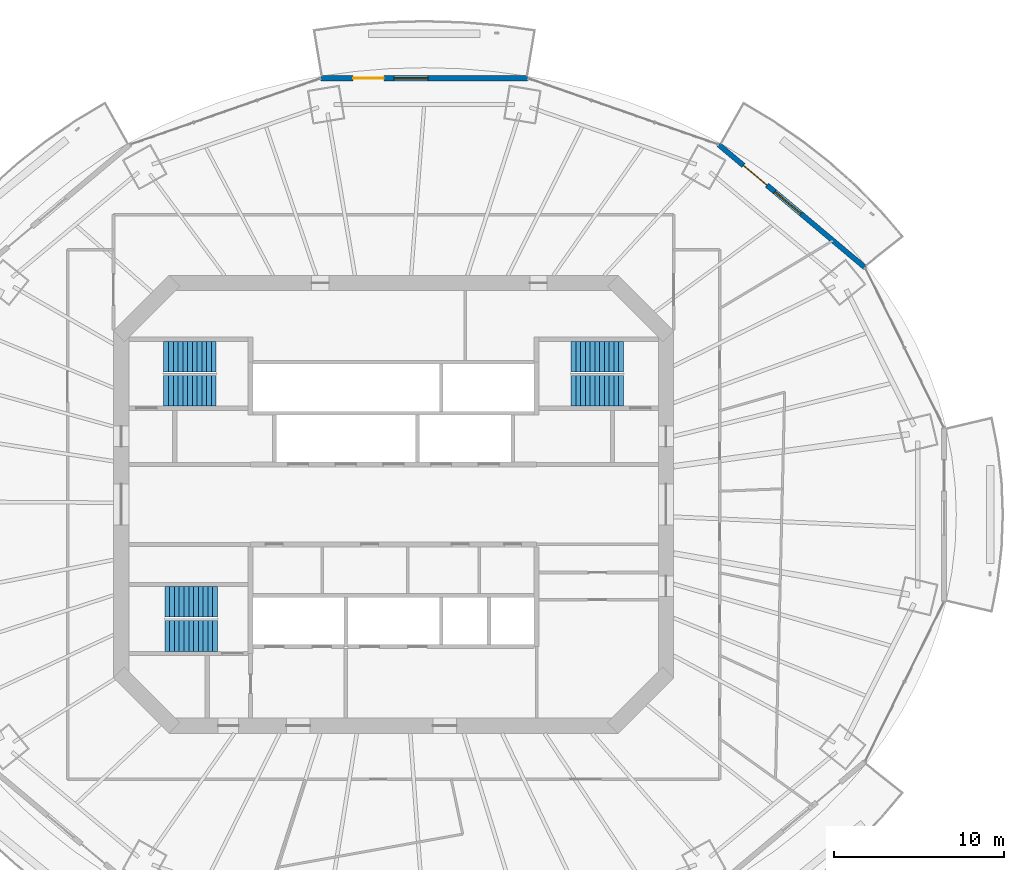
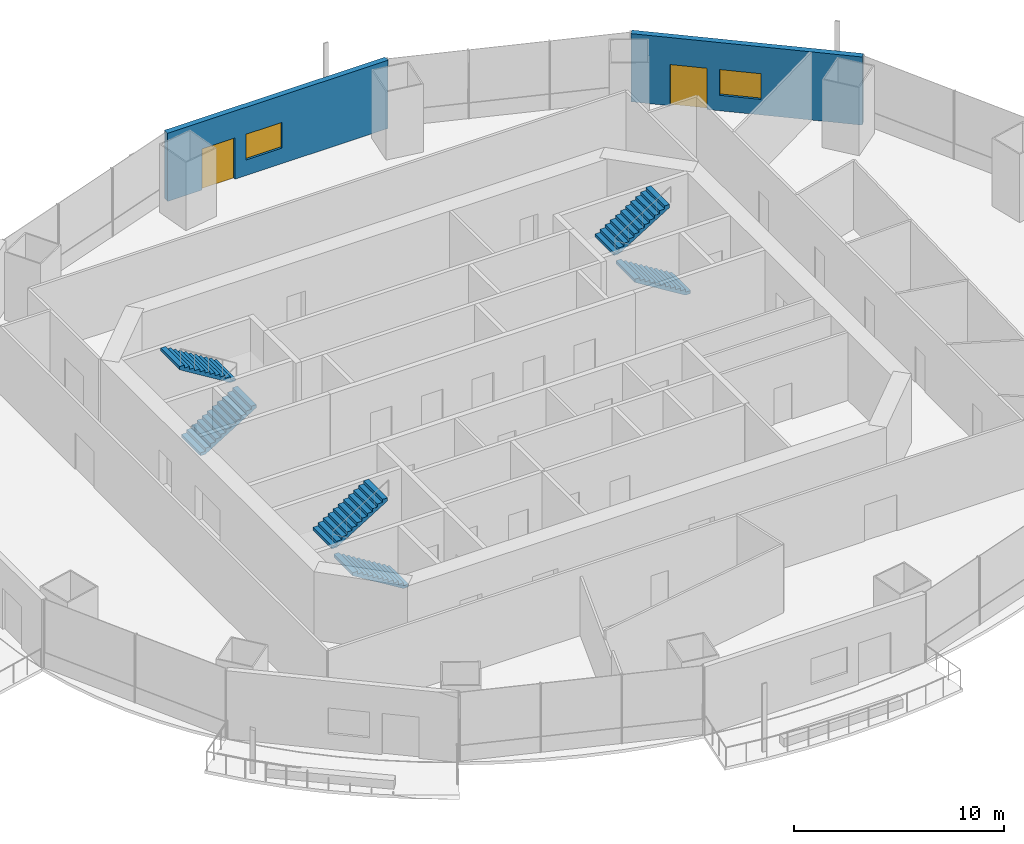
# One storey, part 14 of 20: 6 stair flights, 2 doors, 2 walls, 2 windows, 4 openings, 3 elements without a shape of their own.
"""IFC4 building model written with IfcOpenShell, lengths in metres."""

from ifc_helpers import new_model, si_unit, direction, frame, frame_2d, origin, place, context, subcontext, project, spatial, polyline, rectangle, outline, extrude, material, layer, layer_set, type_object, element, fill, aggregate, save


model = new_model("IFC4")

# Units and contexts
model_context = context("Model", 3, precision=1e-05, world=origin(), true_north=direction((0.0, 1.0)))
body_context = subcontext(model_context, "Body", "Model", "MODEL_VIEW")
ifc_project = project(units=[si_unit("LENGTHUNIT", "METRE"), si_unit("AREAUNIT", "SQUARE_METRE"), si_unit("VOLUMEUNIT", "CUBIC_METRE"), si_unit("PLANEANGLEUNIT", "RADIAN"), si_unit("MASSUNIT", "GRAM", prefix="KILO")], contexts=[model_context])

# Site, building, storey
site_placement = place(None, origin())
site = spatial("IfcSite", under=ifc_project, at=site_placement, CompositionType="ELEMENT")
building_placement = place(site_placement, origin())
building = spatial("IfcBuilding", under=site, at=building_placement, Name="Marenthal Gate Tower", CompositionType="ELEMENT")
storey_placement = place(building_placement, frame((0.0, 0.0, 219.14990234375)))
storey = spatial("IfcBuildingStorey", under=building, at=storey_placement, Name="L48", CompositionType="ELEMENT", Elevation=219.14990234375)

# Wall, openings, door, window
ifc_material_1 = material(Name="Terracotta cladding on insulated concrete-block backing", Category="masonry")
ifc_layer = layer(ifc_material_1, 0.300048828125)
ifc_layer_set = layer_set([ifc_layer], Name="Terracotta facade wall 300")
wall_type = type_object("IfcWallType", Name="Terracotta facade wall 300", PredefinedType="SOLIDWALL", material=ifc_layer_set)
wall_1_placement = place(storey_placement, frame((27.68359375, 13.9169921875, 0.0), z_axis=(0.0, 0.0, 1.0), x_axis=(-0.76593385613, 0.642919379109, 0.0)))
wall_1 = element("IfcWall", 1, at=wall_1_placement, inside=storey, type_object=wall_type, Name="Terracotta facade wall L48 bay 2", PredefinedType="SOLIDWALL", context=body_context, shape_type="SweptSolid", body=[
    extrude(rectangle(XDim=11.21337890625, YDim=0.300048828125, at=frame_2d((5.606689453125, 0.0))), origin(), (0.0, 0.0, 1.0), 3.97021484375),
])
opening_1_placement = place(wall_1_placement, frame((7.51318359375, 0.0, 0.0)))
opening_1 = element("IfcOpeningElement", 2, at=opening_1_placement, cuts=wall_1, Name="Opening BD-L48-02", PredefinedType="OPENING", context=body_context, shape_type="SweptSolid", body=[
    extrude(rectangle(XDim=1.800048828125, YDim=2.39990234375, at=frame_2d((0.89990234375, 1.199951171875))), frame((0.0, 0.16015625, 0.0), z_axis=(0.0, -1.0, 0.0), x_axis=(1.0, 0.0, 0.0)), (0.0, 0.0, 1.0), 0.320068359375),
])
opening_2_placement = place(wall_1_placement, frame((4.913330078125, 0.0, 0.89990234375)))
opening_2 = element("IfcOpeningElement", 3, at=opening_2_placement, cuts=wall_1, Name="Opening WN2-L48-02", PredefinedType="OPENING", context=body_context, shape_type="SweptSolid", body=[
    extrude(rectangle(XDim=2.0, YDim=1.5, at=frame_2d((1.0, 0.75))), frame((0.0, 0.16015625, 0.0), z_axis=(0.0, -1.0, 0.0), x_axis=(1.0, 0.0, 0.0)), (0.0, 0.0, 1.0), 0.320068359375),
])
ifc_material_2 = material(Name="Aluminium and glass", Category="aluminium")
door_type = type_object("IfcDoorType", Name="Balcony door 1800x2400", OperationType="DOUBLE_DOOR_SINGLE_SWING", PredefinedType="DOOR", material=ifc_material_2)
door_1_placement = place(opening_1_placement, origin())
door_1 = element("IfcDoor", 4, at=door_1_placement, inside=storey, type_object=door_type, Name="Balcony door L48 bay 2", OperationType="SINGLE_SWING_LEFT", OverallHeight=2.39990234375, OverallWidth=1.800048828125, PredefinedType="DOOR", context=body_context, shape_type="SweptSolid", body=[
    extrude(rectangle(XDim=1.800048828125, YDim=2.39990234375, at=frame_2d((0.89990234375, 1.199951171875))), frame((0.0, 0.02490234375, 0.0), z_axis=(0.0, -1.0, 0.0), x_axis=(1.0, 0.0, 0.0)), (0.0, 0.0, 1.0), 0.050048828125),
])
fill(opening_1, door_1)
ifc_material_3 = material(Name="Aluminium and glass", Category="aluminium")
window_type = type_object("IfcWindowType", Name="Window 2000x1500", PartitioningType="DOUBLE_PANEL_VERTICAL", PredefinedType="WINDOW", material=ifc_material_3)
window_1_placement = place(opening_2_placement, origin())
window_1 = element("IfcWindow", 5, at=window_1_placement, inside=storey, type_object=window_type, Name="Window L48 bay 2", OverallHeight=1.5, OverallWidth=2.0, PartitioningType="SINGLE_PANEL", PredefinedType="WINDOW", context=body_context, shape_type="SweptSolid", body=[
    extrude(rectangle(XDim=2.0, YDim=1.5, at=frame_2d((1.0, 0.75))), frame((0.0, 0.030029296875, 0.0), z_axis=(0.0, -1.0, 0.0), x_axis=(1.0, 0.0, 0.0)), (0.0, 0.0, 1.0), 0.06005859375),
])
fill(opening_2, window_1)

wall_2_placement = place(storey_placement, frame((7.873291015625, 25.02783203125, 0.0), z_axis=(0.0, 0.0, 1.0), x_axis=(-1.0, 0.0, 0.0)))
wall_2 = element("IfcWall", 6, at=wall_2_placement, inside=storey, type_object=wall_type, Name="Terracotta facade wall L48 bay 4", PredefinedType="SOLIDWALL", context=body_context, shape_type="SweptSolid", body=[
    extrude(rectangle(XDim=12.146484375, YDim=0.300048828125, at=frame_2d((6.0732421875, 0.0))), origin(), (0.0, 0.0, 1.0), 3.97021484375),
])
opening_3_placement = place(wall_2_placement, frame((8.4462890625, 0.0, 0.0)))
opening_3 = element("IfcOpeningElement", 7, at=opening_3_placement, cuts=wall_2, Name="Opening BD-L48-04", PredefinedType="OPENING", context=body_context, shape_type="SweptSolid", body=[
    extrude(rectangle(XDim=1.800048828125, YDim=2.39990234375, at=frame_2d((0.89990234375, 1.199951171875))), frame((0.0, 0.16015625, 0.0), z_axis=(0.0, -1.0, 0.0), x_axis=(1.0, 0.0, 0.0)), (0.0, 0.0, 1.0), 0.320068359375),
])
opening_4_placement = place(wall_2_placement, frame((5.846435546875, 0.0, 0.89990234375)))
opening_4 = element("IfcOpeningElement", 8, at=opening_4_placement, cuts=wall_2, Name="Opening WN2-L48-04", PredefinedType="OPENING", context=body_context, shape_type="SweptSolid", body=[
    extrude(rectangle(XDim=2.0, YDim=1.5, at=frame_2d((1.0, 0.75))), frame((0.0, 0.16015625, 0.0), z_axis=(0.0, -1.0, 0.0), x_axis=(1.0, 0.0, 0.0)), (0.0, 0.0, 1.0), 0.320068359375),
])
door_2_placement = place(opening_3_placement, origin())
door_2 = element("IfcDoor", 9, at=door_2_placement, inside=storey, type_object=door_type, Name="Balcony door L48 bay 4", OperationType="SINGLE_SWING_LEFT", OverallHeight=2.39990234375, OverallWidth=1.800048828125, PredefinedType="DOOR", context=body_context, shape_type="SweptSolid", body=[
    extrude(rectangle(XDim=1.800048828125, YDim=2.39990234375, at=frame_2d((0.89990234375, 1.199951171875))), frame((0.0, 0.02490234375, 0.0), z_axis=(0.0, -1.0, 0.0), x_axis=(1.0, 0.0, 0.0)), (0.0, 0.0, 1.0), 0.050048828125),
])
fill(opening_3, door_2)
window_2_placement = place(opening_4_placement, origin())
window_2 = element("IfcWindow", 10, at=window_2_placement, inside=storey, type_object=window_type, Name="Window L48 bay 4", OverallHeight=1.5, OverallWidth=2.0, PartitioningType="SINGLE_PANEL", PredefinedType="WINDOW", context=body_context, shape_type="SweptSolid", body=[
    extrude(rectangle(XDim=2.0, YDim=1.5, at=frame_2d((1.0, 0.75))), frame((0.0, 0.030029296875, 0.0), z_axis=(0.0, -1.0, 0.0), x_axis=(1.0, 0.0, 0.0)), (0.0, 0.0, 1.0), 0.06005859375),
])
fill(opening_4, window_2)

# Stair, stair flights
ifc_material_4 = material(Name="Concrete 40 MPa", Category="concrete")
stair_type = type_object("IfcStairType", Name="Exit stair 1800", PredefinedType="HALF_TURN_STAIR", material=ifc_material_4)
stair_1_placement = place(storey_placement, origin())
stair_1 = element("IfcStair", 11, at=stair_1_placement, inside=storey, type_object=stair_type, Name="Stair ST1", PredefinedType="HALF_TURN_STAIR")
ifc_material_5 = material(Name="Concrete 40 MPa", Category="concrete")
stair_flight_type = type_object("IfcStairFlightType", Name="Stair flight 1800", PredefinedType="STRAIGHT", material=ifc_material_5)
stair_flight_1_placement = place(storey_placement, frame((-13.5, 6.675048828125, 0.0), z_axis=(0.0, 0.0, 1.0), x_axis=(1.0, 0.0, 0.0)))
stair_flight_1 = element("IfcStairFlight", 12, at=stair_flight_1_placement, type_object=stair_flight_type, Name="ST1 flight 1", NumberOfRisers=12, NumberOfTreads=11, PredefinedType="STRAIGHT", RiserHeight=0.172916667, TreadLength=0.28, context=body_context, shape_type="SweptSolid", body=[
    extrude(outline(polyline([(0.0, 0.0), (0.0, 0.1728515625), (0.280029296875, 0.1728515625), (0.280029296875, 0.345947265625), (0.56005859375, 0.345947265625), (0.56005859375, 0.518798828125), (0.840087890625, 0.518798828125), (0.840087890625, 0.691650390625), (1.1201171875, 0.691650390625), (1.1201171875, 0.864501953125), (1.39990234375, 0.864501953125), (1.39990234375, 1.03759765625), (1.679931640625, 1.03759765625), (1.679931640625, 1.21044921875), (1.9599609375, 1.21044921875), (1.9599609375, 1.38330078125), (2.239990234375, 1.38330078125), (2.239990234375, 1.55615234375), (2.52001953125, 1.55615234375), (2.52001953125, 1.729248046875), (2.800048828125, 1.729248046875), (2.800048828125, 1.902099609375), (3.080078125, 1.902099609375), (3.080078125, 2.074951171875), (3.080078125, 1.725830078125), (0.285400390625, 0.0), (0.0, 0.0)])), frame((0.0, 0.89990234375, 0.0), z_axis=(0.0, -1.0, 0.0), x_axis=(1.0, 0.0, 0.0)), (0.0, 0.0, 1.0), 1.800048828125),
])
stair_flight_2_placement = place(storey_placement, frame((-10.419921875, 8.675048828125, 2.0751953125), z_axis=(0.0, 0.0, 1.0), x_axis=(-1.0, 0.0, 0.0)))
stair_flight_2 = element("IfcStairFlight", 13, at=stair_flight_2_placement, type_object=stair_flight_type, Name="ST1 flight 2", NumberOfRisers=12, NumberOfTreads=11, PredefinedType="STRAIGHT", RiserHeight=0.172916667, TreadLength=0.28, context=body_context, shape_type="SweptSolid", body=[
    extrude(outline(polyline([(0.0, 0.0), (0.0, 0.1728515625), (0.280029296875, 0.1728515625), (0.280029296875, 0.345947265625), (0.56005859375, 0.345947265625), (0.56005859375, 0.518798828125), (0.840087890625, 0.518798828125), (0.840087890625, 0.691650390625), (1.1201171875, 0.691650390625), (1.1201171875, 0.864501953125), (1.39990234375, 0.864501953125), (1.39990234375, 1.03759765625), (1.679931640625, 1.03759765625), (1.679931640625, 1.21044921875), (1.9599609375, 1.21044921875), (1.9599609375, 1.38330078125), (2.239990234375, 1.38330078125), (2.239990234375, 1.55615234375), (2.52001953125, 1.55615234375), (2.52001953125, 1.729248046875), (2.800048828125, 1.729248046875), (2.800048828125, 1.902099609375), (3.080078125, 1.902099609375), (3.080078125, 2.074951171875), (3.080078125, 1.725830078125), (0.285400390625, 0.0), (0.0, 0.0)])), frame((0.0, 0.89990234375, 0.0), z_axis=(0.0, -1.0, 0.0), x_axis=(1.0, 0.0, 0.0)), (0.0, 0.0, 1.0), 1.800048828125),
])
aggregate(stair_1, [stair_flight_1, stair_flight_2])

stair_2_placement = place(storey_placement, origin())
stair_2 = element("IfcStair", 14, at=stair_2_placement, inside=storey, type_object=stair_type, Name="Stair ST2", PredefinedType="HALF_TURN_STAIR")
stair_flight_3_placement = place(storey_placement, frame((-10.35009765625, -7.72509765625, 0.0), z_axis=(0.0, 0.0, 1.0), x_axis=(-1.0, 0.0, 0.0)))
stair_flight_3 = element("IfcStairFlight", 15, at=stair_flight_3_placement, type_object=stair_flight_type, Name="ST2 flight 1", NumberOfRisers=12, NumberOfTreads=11, PredefinedType="STRAIGHT", RiserHeight=0.172916667, TreadLength=0.28, context=body_context, shape_type="SweptSolid", body=[
    extrude(outline(polyline([(0.0, 0.0), (0.0, 0.1728515625), (0.280029296875, 0.1728515625), (0.280029296875, 0.345947265625), (0.56005859375, 0.345947265625), (0.56005859375, 0.518798828125), (0.840087890625, 0.518798828125), (0.840087890625, 0.691650390625), (1.1201171875, 0.691650390625), (1.1201171875, 0.864501953125), (1.39990234375, 0.864501953125), (1.39990234375, 1.03759765625), (1.679931640625, 1.03759765625), (1.679931640625, 1.21044921875), (1.9599609375, 1.21044921875), (1.9599609375, 1.38330078125), (2.239990234375, 1.38330078125), (2.239990234375, 1.55615234375), (2.52001953125, 1.55615234375), (2.52001953125, 1.729248046875), (2.800048828125, 1.729248046875), (2.800048828125, 1.902099609375), (3.080078125, 1.902099609375), (3.080078125, 2.074951171875), (3.080078125, 1.725830078125), (0.285400390625, 0.0), (0.0, 0.0)])), frame((0.0, 0.89990234375, 0.0), z_axis=(0.0, -1.0, 0.0), x_axis=(1.0, 0.0, 0.0)), (0.0, 0.0, 1.0), 1.800048828125),
])
stair_flight_4_placement = place(storey_placement, frame((-13.429931640625, -5.72509765625, 2.0751953125), z_axis=(0.0, 0.0, 1.0), x_axis=(1.0, 0.0, 0.0)))
stair_flight_4 = element("IfcStairFlight", 16, at=stair_flight_4_placement, type_object=stair_flight_type, Name="ST2 flight 2", NumberOfRisers=12, NumberOfTreads=11, PredefinedType="STRAIGHT", RiserHeight=0.172916667, TreadLength=0.28, context=body_context, shape_type="SweptSolid", body=[
    extrude(outline(polyline([(0.0, 0.0), (0.0, 0.1728515625), (0.280029296875, 0.1728515625), (0.280029296875, 0.345947265625), (0.56005859375, 0.345947265625), (0.56005859375, 0.518798828125), (0.840087890625, 0.518798828125), (0.840087890625, 0.691650390625), (1.1201171875, 0.691650390625), (1.1201171875, 0.864501953125), (1.39990234375, 0.864501953125), (1.39990234375, 1.03759765625), (1.679931640625, 1.03759765625), (1.679931640625, 1.21044921875), (1.9599609375, 1.21044921875), (1.9599609375, 1.38330078125), (2.239990234375, 1.38330078125), (2.239990234375, 1.55615234375), (2.52001953125, 1.55615234375), (2.52001953125, 1.729248046875), (2.800048828125, 1.729248046875), (2.800048828125, 1.902099609375), (3.080078125, 1.902099609375), (3.080078125, 2.074951171875), (3.080078125, 1.725830078125), (0.285400390625, 0.0), (0.0, 0.0)])), frame((0.0, 0.89990234375, 0.0), z_axis=(0.0, -1.0, 0.0), x_axis=(1.0, 0.0, 0.0)), (0.0, 0.0, 1.0), 1.800048828125),
])
aggregate(stair_2, [stair_flight_3, stair_flight_4])

stair_3_placement = place(storey_placement, origin())
stair_3 = element("IfcStair", 17, at=stair_3_placement, inside=storey, type_object=stair_type, Name="Stair ST3", PredefinedType="HALF_TURN_STAIR")
stair_flight_5_placement = place(storey_placement, frame((13.5, 6.675048828125, 0.0), z_axis=(0.0, 0.0, 1.0), x_axis=(-1.0, 0.0, 0.0)))
stair_flight_5 = element("IfcStairFlight", 18, at=stair_flight_5_placement, type_object=stair_flight_type, Name="ST3 flight 1", NumberOfRisers=12, NumberOfTreads=11, PredefinedType="STRAIGHT", RiserHeight=0.172916667, TreadLength=0.28, context=body_context, shape_type="SweptSolid", body=[
    extrude(outline(polyline([(0.0, 0.0), (0.0, 0.1728515625), (0.280029296875, 0.1728515625), (0.280029296875, 0.345947265625), (0.56005859375, 0.345947265625), (0.56005859375, 0.518798828125), (0.840087890625, 0.518798828125), (0.840087890625, 0.691650390625), (1.1201171875, 0.691650390625), (1.1201171875, 0.864501953125), (1.39990234375, 0.864501953125), (1.39990234375, 1.03759765625), (1.679931640625, 1.03759765625), (1.679931640625, 1.21044921875), (1.9599609375, 1.21044921875), (1.9599609375, 1.38330078125), (2.239990234375, 1.38330078125), (2.239990234375, 1.55615234375), (2.52001953125, 1.55615234375), (2.52001953125, 1.729248046875), (2.800048828125, 1.729248046875), (2.800048828125, 1.902099609375), (3.080078125, 1.902099609375), (3.080078125, 2.074951171875), (3.080078125, 1.725830078125), (0.285400390625, 0.0), (0.0, 0.0)])), frame((0.0, 0.89990234375, 0.0), z_axis=(0.0, -1.0, 0.0), x_axis=(1.0, 0.0, 0.0)), (0.0, 0.0, 1.0), 1.800048828125),
])
stair_flight_6_placement = place(storey_placement, frame((10.419921875, 8.675048828125, 2.0751953125), z_axis=(0.0, 0.0, 1.0), x_axis=(1.0, 0.0, 0.0)))
stair_flight_6 = element("IfcStairFlight", 19, at=stair_flight_6_placement, type_object=stair_flight_type, Name="ST3 flight 2", NumberOfRisers=12, NumberOfTreads=11, PredefinedType="STRAIGHT", RiserHeight=0.172916667, TreadLength=0.28, context=body_context, shape_type="SweptSolid", body=[
    extrude(outline(polyline([(0.0, 0.0), (0.0, 0.1728515625), (0.280029296875, 0.1728515625), (0.280029296875, 0.345947265625), (0.56005859375, 0.345947265625), (0.56005859375, 0.518798828125), (0.840087890625, 0.518798828125), (0.840087890625, 0.691650390625), (1.1201171875, 0.691650390625), (1.1201171875, 0.864501953125), (1.39990234375, 0.864501953125), (1.39990234375, 1.03759765625), (1.679931640625, 1.03759765625), (1.679931640625, 1.21044921875), (1.9599609375, 1.21044921875), (1.9599609375, 1.38330078125), (2.239990234375, 1.38330078125), (2.239990234375, 1.55615234375), (2.52001953125, 1.55615234375), (2.52001953125, 1.729248046875), (2.800048828125, 1.729248046875), (2.800048828125, 1.902099609375), (3.080078125, 1.902099609375), (3.080078125, 2.074951171875), (3.080078125, 1.725830078125), (0.285400390625, 0.0), (0.0, 0.0)])), frame((0.0, 0.89990234375, 0.0), z_axis=(0.0, -1.0, 0.0), x_axis=(1.0, 0.0, 0.0)), (0.0, 0.0, 1.0), 1.800048828125),
])
aggregate(stair_3, [stair_flight_5, stair_flight_6])

save(model, "model.ifc")
